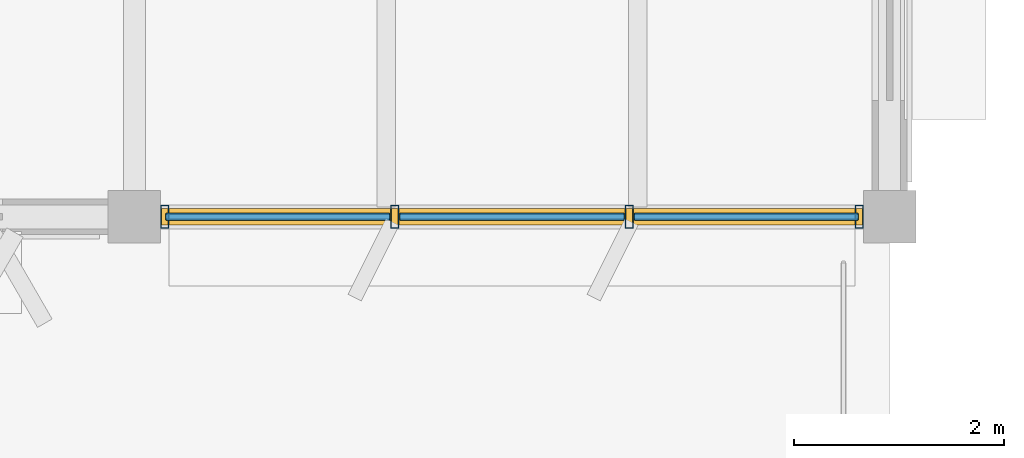
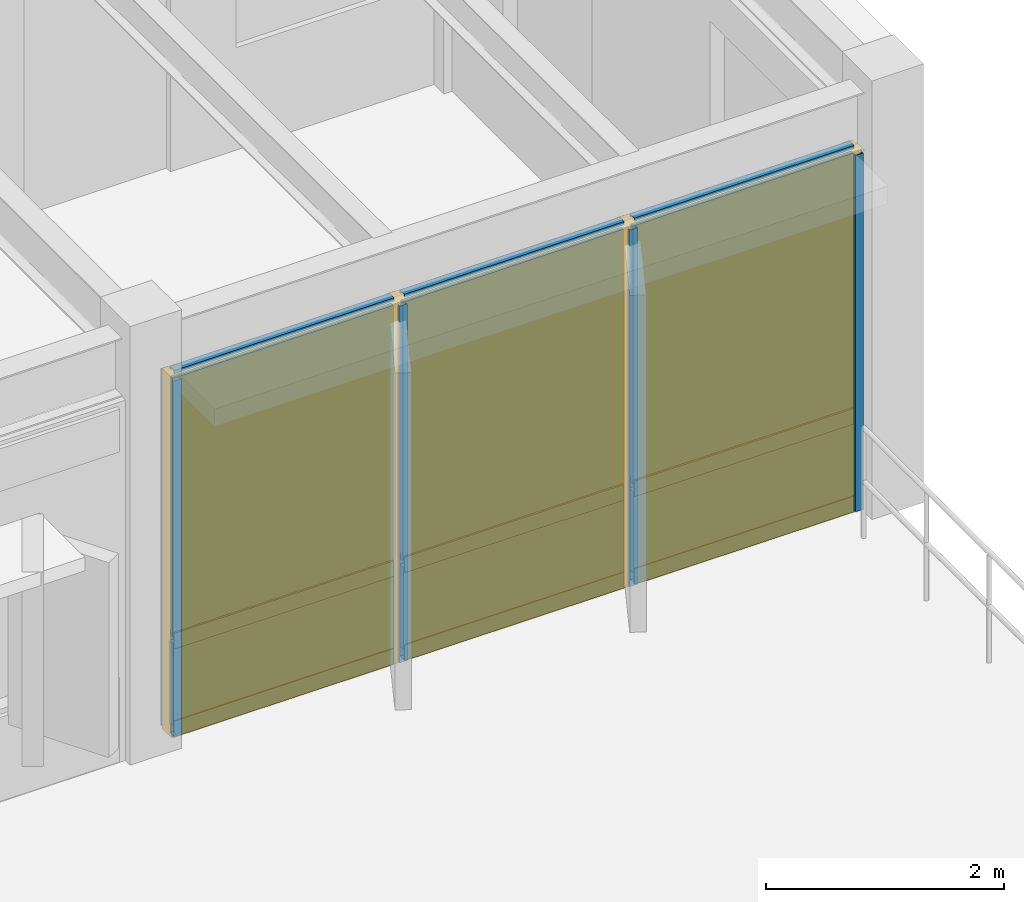
# One storey, part 49 of 92: 13 members, 6 plates, 1 curtain wall.
"""IFC4 building model written with IfcOpenShell, lengths in metres."""

from ifc_helpers import new_model, si_unit, direction, frame, origin, origin_2d, place, context, subcontext, project, spatial, rectangle, hollow_rectangle, extrude, material, layer, layer_set, material_profile, profile_set, type_object, element, aggregate, save


model = new_model("IFC4")

# Units and contexts
model_context = context("Model", 3, precision=1e-05, world=origin(), true_north=direction((0.0, 1.0)))
body_context = subcontext(model_context, "Body", "Model", "MODEL_VIEW")
ifc_project = project(units=[si_unit("LENGTHUNIT", "METRE"), si_unit("AREAUNIT", "SQUARE_METRE"), si_unit("VOLUMEUNIT", "CUBIC_METRE"), si_unit("PLANEANGLEUNIT", "RADIAN"), si_unit("MASSUNIT", "GRAM", prefix="KILO")], contexts=[model_context])

# Member
ifc_material_1 = material(Name="Anodized Aluminium 6063-T6", Category="aluminium")
ifc_material_profile_1 = material_profile(ifc_material_1, hollow_rectangle(XDim=0.074951171875, YDim=0.219970703125, WallThickness=0.0048828125, at=origin_2d()), Name="ALU 75x220x5")
ifc_profile_set_1 = profile_set([ifc_material_profile_1], Name="Anodized Aluminium 6063-T6")
member_type_1 = type_object("IfcMemberType", Name="CWM-75X180", PredefinedType="MULLION", material=ifc_profile_set_1)
site_placement = place(None, origin())
building_placement = place(site_placement, origin())
storey_placement = place(building_placement, frame((0.0, 0.0, 5.39990234375)))
member_1_placement = place(storey_placement, frame((50.110107421875, 14.39990234375, 0.02001953125), z_axis=(0.0, 0.0, 1.0), x_axis=(1.0, 0.0, 0.0)))
member_1 = element("IfcMember", 1, at=member_1_placement, type_object=member_type_1, Name="Curtain wall mullion CW-L02-06-02-S-00", PredefinedType="MULLION", context=body_context, shape_type="SweptSolid", body=[
    extrude(hollow_rectangle(XDim=0.074951171875, YDim=0.219970703125, WallThickness=0.0048828125, at=origin_2d()), origin(), (0.0, 0.0, 1.0), 3.657958984375),
])

member_2_placement = place(storey_placement, frame((47.916748046875, 14.39990234375, 0.02001953125), z_axis=(0.0, 0.0, 1.0), x_axis=(1.0, 0.0, 0.0)))
member_2 = element("IfcMember", 2, at=member_2_placement, type_object=member_type_1, Name="Curtain wall mullion CW-L02-06-02-S-01", PredefinedType="MULLION", context=body_context, shape_type="SweptSolid", body=[
    extrude(hollow_rectangle(XDim=0.074951171875, YDim=0.219970703125, WallThickness=0.0048828125, at=origin_2d()), origin(), (0.0, 0.0, 1.0), 3.657958984375),
])

member_3_placement = place(storey_placement, frame((45.683349609375, 14.39990234375, 0.02001953125), z_axis=(0.0, 0.0, 1.0), x_axis=(1.0, 0.0, 0.0)))
member_3 = element("IfcMember", 3, at=member_3_placement, type_object=member_type_1, Name="Curtain wall mullion CW-L02-06-02-S-02", PredefinedType="MULLION", context=body_context, shape_type="SweptSolid", body=[
    extrude(hollow_rectangle(XDim=0.074951171875, YDim=0.219970703125, WallThickness=0.0048828125, at=origin_2d()), origin(), (0.0, 0.0, 1.0), 3.657958984375),
])

member_4_placement = place(storey_placement, frame((43.489990234375, 14.39990234375, 0.02001953125), z_axis=(0.0, 0.0, 1.0), x_axis=(1.0, 0.0, 0.0)))
member_4 = element("IfcMember", 4, at=member_4_placement, type_object=member_type_1, Name="Curtain wall mullion CW-L02-06-02-S-03", PredefinedType="MULLION", context=body_context, shape_type="SweptSolid", body=[
    extrude(hollow_rectangle(XDim=0.074951171875, YDim=0.219970703125, WallThickness=0.0048828125, at=origin_2d()), origin(), (0.0, 0.0, 1.0), 3.657958984375),
])

ifc_material_profile_2 = material_profile(ifc_material_1, hollow_rectangle(XDim=0.074951171875, YDim=0.159912109375, WallThickness=0.00390625, at=origin_2d()), Name="ALU 75x160x4")
ifc_profile_set_2 = profile_set([ifc_material_profile_2], Name="Anodized Aluminium 6063-T6")
member_type_2 = type_object("IfcMemberType", Name="CWT-75X150", PredefinedType="USERDEFINED", material=ifc_profile_set_2)
member_5_placement = place(storey_placement, frame((50.10009765625, 14.39990234375, 0.050048828125), z_axis=(-1.0, 0.0, 0.0), x_axis=(0.0, -1.0, 0.0)))
member_5 = element("IfcMember", 5, at=member_5_placement, type_object=member_type_2, Name="Curtain wall transom CW-L02-06-02-S-1.01", ObjectType="TRANSOM", PredefinedType="USERDEFINED", context=body_context, shape_type="SweptSolid", body=[
    extrude(hollow_rectangle(XDim=0.074951171875, YDim=0.159912109375, WallThickness=0.00390625, at=origin_2d()), origin(), (0.0, 0.0, 1.0), 2.13330078125),
])

member_6_placement = place(storey_placement, frame((47.86669921875, 14.39990234375, 0.050048828125), z_axis=(-1.0, 0.0, 0.0), x_axis=(0.0, -1.0, 0.0)))
member_6 = element("IfcMember", 6, at=member_6_placement, type_object=member_type_2, Name="Curtain wall transom CW-L02-06-02-S-1.02", ObjectType="TRANSOM", PredefinedType="USERDEFINED", context=body_context, shape_type="SweptSolid", body=[
    extrude(hollow_rectangle(XDim=0.074951171875, YDim=0.159912109375, WallThickness=0.00390625, at=origin_2d()), origin(), (0.0, 0.0, 1.0), 2.13330078125),
])

member_7_placement = place(storey_placement, frame((45.63330078125, 14.39990234375, 0.050048828125), z_axis=(-1.0, 0.0, 0.0), x_axis=(0.0, -1.0, 0.0)))
member_7 = element("IfcMember", 7, at=member_7_placement, type_object=member_type_2, Name="Curtain wall transom CW-L02-06-02-S-1.03", ObjectType="TRANSOM", PredefinedType="USERDEFINED", context=body_context, shape_type="SweptSolid", body=[
    extrude(hollow_rectangle(XDim=0.074951171875, YDim=0.159912109375, WallThickness=0.00390625, at=origin_2d()), origin(), (0.0, 0.0, 1.0), 2.13330078125),
])

member_8_placement = place(storey_placement, frame((50.10009765625, 14.39990234375, 0.9501953125), z_axis=(-1.0, 0.0, 0.0), x_axis=(0.0, -1.0, 0.0)))
member_8 = element("IfcMember", 8, at=member_8_placement, type_object=member_type_2, Name="Curtain wall transom CW-L02-06-02-S-2.01", ObjectType="TRANSOM", PredefinedType="USERDEFINED", context=body_context, shape_type="SweptSolid", body=[
    extrude(hollow_rectangle(XDim=0.074951171875, YDim=0.159912109375, WallThickness=0.00390625, at=origin_2d()), origin(), (0.0, 0.0, 1.0), 2.13330078125),
])

member_9_placement = place(storey_placement, frame((47.86669921875, 14.39990234375, 0.9501953125), z_axis=(-1.0, 0.0, 0.0), x_axis=(0.0, -1.0, 0.0)))
member_9 = element("IfcMember", 9, at=member_9_placement, type_object=member_type_2, Name="Curtain wall transom CW-L02-06-02-S-2.02", ObjectType="TRANSOM", PredefinedType="USERDEFINED", context=body_context, shape_type="SweptSolid", body=[
    extrude(hollow_rectangle(XDim=0.074951171875, YDim=0.159912109375, WallThickness=0.00390625, at=origin_2d()), origin(), (0.0, 0.0, 1.0), 2.13330078125),
])

member_10_placement = place(storey_placement, frame((45.63330078125, 14.39990234375, 0.9501953125), z_axis=(-1.0, 0.0, 0.0), x_axis=(0.0, -1.0, 0.0)))
member_10 = element("IfcMember", 10, at=member_10_placement, type_object=member_type_2, Name="Curtain wall transom CW-L02-06-02-S-2.03", ObjectType="TRANSOM", PredefinedType="USERDEFINED", context=body_context, shape_type="SweptSolid", body=[
    extrude(hollow_rectangle(XDim=0.074951171875, YDim=0.159912109375, WallThickness=0.00390625, at=origin_2d()), origin(), (0.0, 0.0, 1.0), 2.13330078125),
])

member_11_placement = place(storey_placement, frame((50.10009765625, 14.39990234375, 3.648193359375), z_axis=(-1.0, 0.0, 0.0), x_axis=(0.0, -1.0, 0.0)))
member_11 = element("IfcMember", 11, at=member_11_placement, type_object=member_type_2, Name="Curtain wall transom CW-L02-06-02-S-3.01", ObjectType="TRANSOM", PredefinedType="USERDEFINED", context=body_context, shape_type="SweptSolid", body=[
    extrude(hollow_rectangle(XDim=0.074951171875, YDim=0.159912109375, WallThickness=0.00390625, at=origin_2d()), origin(), (0.0, 0.0, 1.0), 2.13330078125),
])

member_12_placement = place(storey_placement, frame((47.86669921875, 14.39990234375, 3.648193359375), z_axis=(-1.0, 0.0, 0.0), x_axis=(0.0, -1.0, 0.0)))
member_12 = element("IfcMember", 12, at=member_12_placement, type_object=member_type_2, Name="Curtain wall transom CW-L02-06-02-S-3.02", ObjectType="TRANSOM", PredefinedType="USERDEFINED", context=body_context, shape_type="SweptSolid", body=[
    extrude(hollow_rectangle(XDim=0.074951171875, YDim=0.159912109375, WallThickness=0.00390625, at=origin_2d()), origin(), (0.0, 0.0, 1.0), 2.13330078125),
])

member_13_placement = place(storey_placement, frame((45.63330078125, 14.39990234375, 3.648193359375), z_axis=(-1.0, 0.0, 0.0), x_axis=(0.0, -1.0, 0.0)))
member_13 = element("IfcMember", 13, at=member_13_placement, type_object=member_type_2, Name="Curtain wall transom CW-L02-06-02-S-3.03", ObjectType="TRANSOM", PredefinedType="USERDEFINED", context=body_context, shape_type="SweptSolid", body=[
    extrude(hollow_rectangle(XDim=0.074951171875, YDim=0.159912109375, WallThickness=0.00390625, at=origin_2d()), origin(), (0.0, 0.0, 1.0), 2.13330078125),
])

# Plate
ifc_material_2 = material(Name="Acoustic Laminated Low-E Glazing", Category="glass")
ifc_layer_1 = layer(ifc_material_2, 0.0439453125)
ifc_layer_set_1 = layer_set([ifc_layer_1], Name="Acoustic Laminated Low-E Glazing")
plate_type_1 = type_object("IfcPlateType", Name="CWP-IGU-44", PredefinedType="CURTAIN_PANEL", material=ifc_layer_set_1)
plate_1_placement = place(storey_placement, frame((49.033203125, 14.39990234375, 0.990234375), z_axis=(0.0, 0.0, 1.0), x_axis=(-1.0, 0.0, 0.0)))
plate_1 = element("IfcPlate", 14, at=plate_1_placement, type_object=plate_type_1, Name="Curtain wall vision glazing CW-L02-06-02-S-01", PredefinedType="CURTAIN_PANEL", context=body_context, shape_type="SweptSolid", body=[
    extrude(rectangle(XDim=2.143310546875, YDim=0.0400390625, at=origin_2d()), origin(), (0.0, 0.0, 1.0), 2.64794921875),
])

plate_2_placement = place(storey_placement, frame((46.800048828125, 14.39990234375, 0.990234375), z_axis=(0.0, 0.0, 1.0), x_axis=(-1.0, 0.0, 0.0)))
plate_2 = element("IfcPlate", 15, at=plate_2_placement, type_object=plate_type_1, Name="Curtain wall vision glazing CW-L02-06-02-S-02", PredefinedType="CURTAIN_PANEL", context=body_context, shape_type="SweptSolid", body=[
    extrude(rectangle(XDim=2.143310546875, YDim=0.0400390625, at=origin_2d()), origin(), (0.0, 0.0, 1.0), 2.64794921875),
])

plate_3_placement = place(storey_placement, frame((44.566650390625, 14.39990234375, 0.990234375), z_axis=(0.0, 0.0, 1.0), x_axis=(-1.0, 0.0, 0.0)))
plate_3 = element("IfcPlate", 16, at=plate_3_placement, type_object=plate_type_1, Name="Curtain wall vision glazing CW-L02-06-02-S-03", PredefinedType="CURTAIN_PANEL", context=body_context, shape_type="SweptSolid", body=[
    extrude(rectangle(XDim=2.143310546875, YDim=0.0400390625, at=origin_2d()), origin(), (0.0, 0.0, 1.0), 2.64794921875),
])

ifc_material_3 = material(Name="Insulated Stone-Composite Spandrel", Category="masonry")
ifc_layer_2 = layer(ifc_material_3, 0.068115234375)
ifc_layer_set_2 = layer_set([ifc_layer_2], Name="Insulated Stone-Composite Spandrel")
plate_type_2 = type_object("IfcPlateType", Name="CWP-SPN-68", PredefinedType="CURTAIN_PANEL", material=ifc_layer_set_2)
plate_4_placement = place(storey_placement, frame((49.033203125, 14.39990234375, 0.080078125), z_axis=(0.0, 0.0, 1.0), x_axis=(-1.0, 0.0, 0.0)))
plate_4 = element("IfcPlate", 17, at=plate_4_placement, type_object=plate_type_2, Name="Curtain wall spandrel panel CW-L02-06-02-S-01", PredefinedType="CURTAIN_PANEL", context=body_context, shape_type="SweptSolid", body=[
    extrude(rectangle(XDim=2.143310546875, YDim=0.06005859375, at=origin_2d()), origin(), (0.0, 0.0, 1.0), 0.840087890625),
])

plate_5_placement = place(storey_placement, frame((46.800048828125, 14.39990234375, 0.080078125), z_axis=(0.0, 0.0, 1.0), x_axis=(-1.0, 0.0, 0.0)))
plate_5 = element("IfcPlate", 18, at=plate_5_placement, type_object=plate_type_2, Name="Curtain wall spandrel panel CW-L02-06-02-S-02", PredefinedType="CURTAIN_PANEL", context=body_context, shape_type="SweptSolid", body=[
    extrude(rectangle(XDim=2.143310546875, YDim=0.06005859375, at=origin_2d()), origin(), (0.0, 0.0, 1.0), 0.840087890625),
])

plate_6_placement = place(storey_placement, frame((44.566650390625, 14.39990234375, 0.080078125), z_axis=(0.0, 0.0, 1.0), x_axis=(-1.0, 0.0, 0.0)))
plate_6 = element("IfcPlate", 19, at=plate_6_placement, type_object=plate_type_2, Name="Curtain wall spandrel panel CW-L02-06-02-S-03", PredefinedType="CURTAIN_PANEL", context=body_context, shape_type="SweptSolid", body=[
    extrude(rectangle(XDim=2.143310546875, YDim=0.06005859375, at=origin_2d()), origin(), (0.0, 0.0, 1.0), 0.840087890625),
])

# Site, building, storey
site = spatial("IfcSite", under=ifc_project, at=site_placement, CompositionType="ELEMENT")
building = spatial("IfcBuilding", under=site, at=building_placement, Name="Sillqori Civic Hall", CompositionType="ELEMENT")
storey = spatial("IfcBuildingStorey", under=building, at=storey_placement, Name="L02", CompositionType="ELEMENT", Elevation=5.39990234375)

# Curtain wall
ifc_material_4 = material(Name="Anodized Aluminium Curtain Wall System", Category="aluminium")
curtain_wall_type = type_object("IfcCurtainWallType", Name="CW-GL-430", PredefinedType="NOTDEFINED", material=ifc_material_4)
curtain_wall_placement = place(storey_placement, frame((46.800048828125, 14.39990234375, 0.0), z_axis=(0.0, 0.0, 1.0), x_axis=(-1.0, 0.0, 0.0)))
curtain_wall = element("IfcCurtainWall", 20, at=curtain_wall_placement, inside=storey, type_object=curtain_wall_type, Name="L02 unitised curtain wall CW-L02-06-02-S", PredefinedType="NOTDEFINED", context=body_context, shape_type="SweptSolid", body=[
    extrude(rectangle(XDim=6.699951171875, YDim=0.159912109375, at=origin_2d()), origin(), (0.0, 0.0, 1.0), 3.697998046875),
])

aggregate(curtain_wall, [member_1, member_2, member_3, member_4, member_5, member_6, member_7, member_8, member_9, member_10, member_11, member_12, member_13, plate_4, plate_1, plate_5, plate_2, plate_6, plate_3])

save(model, "model.ifc")
